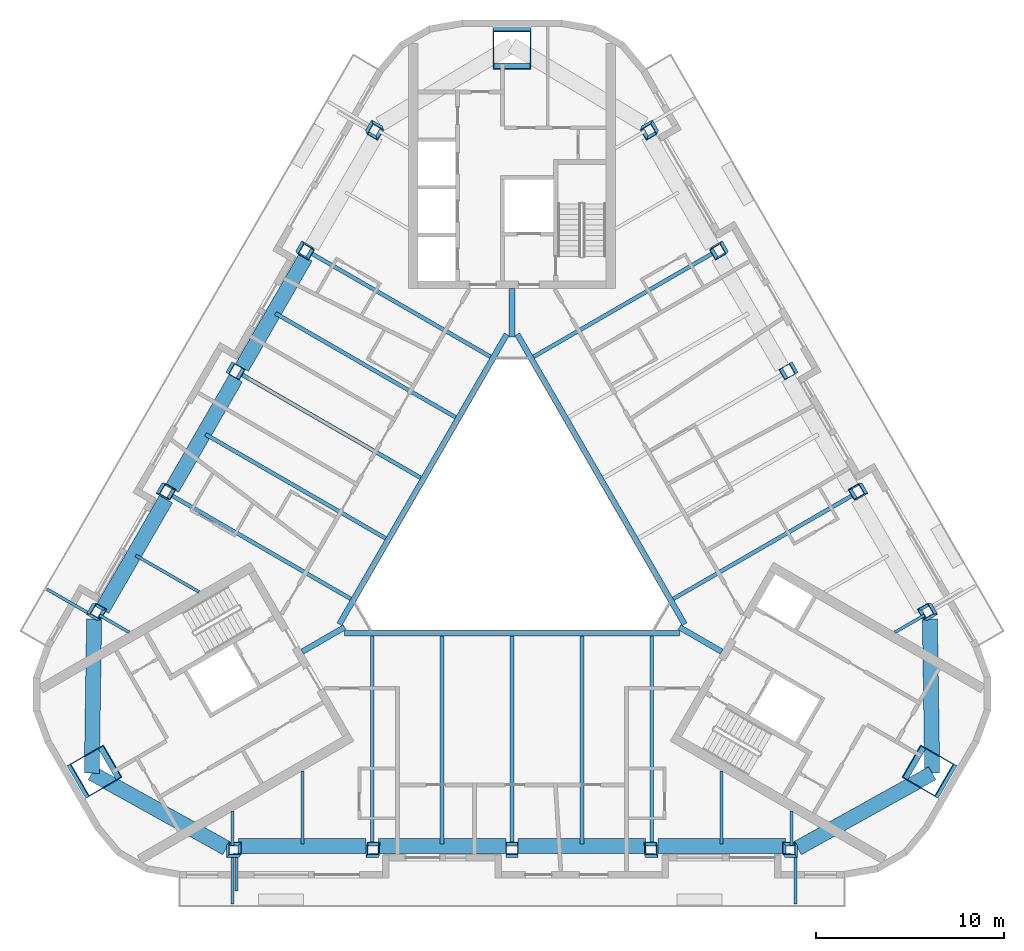
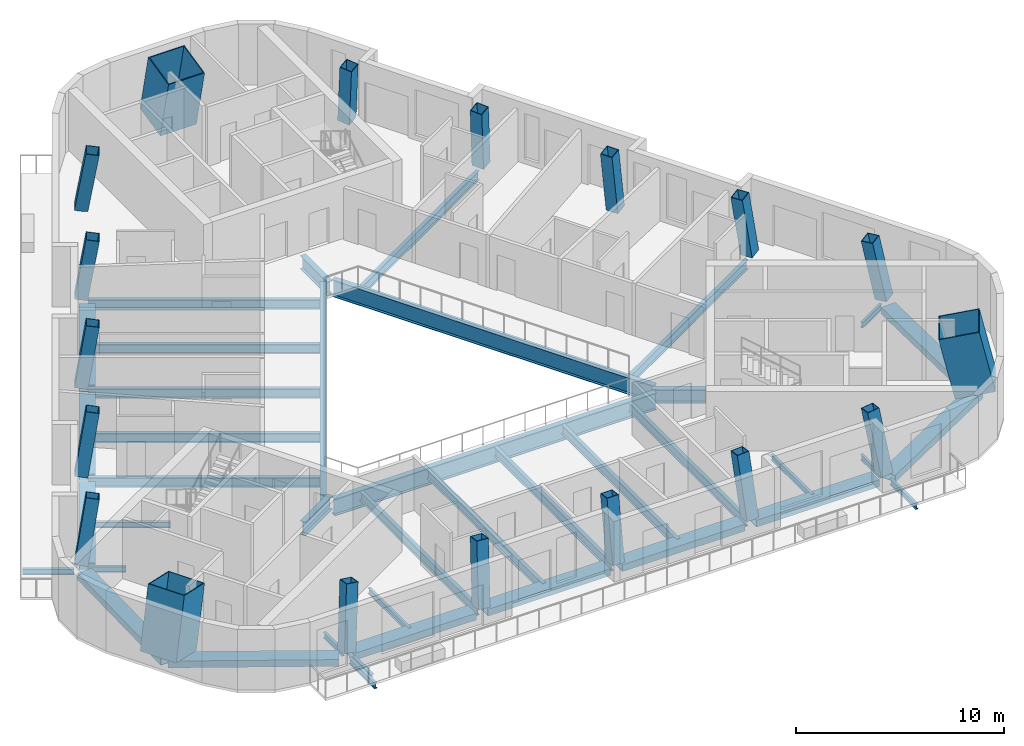
# One storey, part 1 of 13: 40 beams, 18 columns.
"""IFC4 building model written with IfcOpenShell, lengths in metres."""

import ifcopenshell
import ifcopenshell.guid

model = None  # the IFC model being written
_history = None  # IfcOwnerHistory: only IFC2X3 demands one
_inside = {}  # id of a spatial element -> (the spatial element, [elements in it])
_under = {}  # id of a project, library or spatial element -> (it, [spatial elements below it])
_declared = {}  # id of a project -> (the project, [libraries it declares])
_typed = {}  # id of a type object -> (the type object, [elements of that type])
_made_of = {}  # id of a material, layer set ... -> (it, [elements and type objects made of it])


def new_model(schema):
    """Start an empty IFC model of exactly this schema.

    Asked for "IFC4X3", IfcOpenShell would pick the latest addendum, in which some entities
    have other attributes; the version numbers below select the first issue.
    IFC2X3 requires an IfcOwnerHistory on every rooted entity: one is made here for all.
    """
    global model, _history
    if schema == "IFC4X3":
        model = ifcopenshell.file(schema_version=(4, 3, 0, 0))
    else:
        model = ifcopenshell.file(schema=schema)
    _inside.clear()
    _under.clear()
    _declared.clear()
    _typed.clear()
    _made_of.clear()
    _history = None
    if model.schema == "IFC2X3":
        org = make("IfcOrganization", Name="unknown")
        user = make(
            "IfcPersonAndOrganization",
            ThePerson=make("IfcPerson", FamilyName="unknown"),
            TheOrganization=org,
        )
        app = make(
            "IfcApplication",
            ApplicationDeveloper=org,
            Version="unknown",
            ApplicationFullName="unknown",
            ApplicationIdentifier="unknown",
        )
        _history = make(
            "IfcOwnerHistory",
            OwningUser=user,
            OwningApplication=app,
            ChangeAction="ADDED",
            CreationDate=0,
        )
    return model


def make(cls, **values):
    """One entity of the class cls with the attributes given. An attribute that is None is left unset."""
    return model.create_entity(
        cls, **{name: value for name, value in values.items() if value is not None}
    )


def rooted(cls, **values):
    """An entity with a GlobalId (a new one), such as an element, a storey or a relation."""
    return make(cls, GlobalId=ifcopenshell.guid.new(), OwnerHistory=_history, **values)


def si_unit(unit_type, name, prefix=None):
    """IfcSIUnit, for example si_unit("LENGTHUNIT", "METRE", prefix="MILLI")."""
    return make("IfcSIUnit", UnitType=unit_type, Prefix=prefix, Name=name)


def assignment(units):
    """IfcUnitAssignment: the units of a project."""
    return None if units is None else make("IfcUnitAssignment", Units=units)


def point(xyz):
    """IfcCartesianPoint."""
    return None if xyz is None else make("IfcCartesianPoint", Coordinates=xyz)


def direction(xyz):
    """IfcDirection."""
    return None if xyz is None else make("IfcDirection", DirectionRatios=xyz)


def frame(location, z_axis=None, x_axis=None):
    """IfcAxis2Placement3D, a coordinate frame: its origin and axes. An axis left out is left unset."""
    return make(
        "IfcAxis2Placement3D",
        Location=point(location),
        Axis=direction(z_axis),
        RefDirection=direction(x_axis),
    )


def frame_2d(location, x_axis=None):
    """IfcAxis2Placement2D, a coordinate frame in the plane: its origin and x axis."""
    return make(
        "IfcAxis2Placement2D", Location=point(location), RefDirection=direction(x_axis)
    )


def origin():
    """The frame at (0, 0, 0) with its axes left unset."""
    return frame((0.0, 0.0, 0.0))


def origin_2d():
    """The frame at (0, 0) in the plane with its x axis left unset."""
    return frame_2d((0.0, 0.0))


def place(relative_to, where):
    """IfcLocalPlacement: puts the frame where relative to a parent placement (None: the world)."""
    return make(
        "IfcLocalPlacement", PlacementRelTo=relative_to, RelativePlacement=where
    )


def context(
    kind, dimensions, precision=None, world=None, true_north=None, identifier=None
):
    """IfcGeometricRepresentationContext, for example the 3D "Model" context."""
    return make(
        "IfcGeometricRepresentationContext",
        ContextIdentifier=identifier,
        ContextType=kind,
        CoordinateSpaceDimension=dimensions,
        Precision=precision,
        WorldCoordinateSystem=world,
        TrueNorth=true_north,
    )


def subcontext(parent, identifier, kind, view, scale=None):
    """IfcGeometricRepresentationSubContext, for example "Body" below "Model"."""
    return make(
        "IfcGeometricRepresentationSubContext",
        ContextIdentifier=identifier,
        ContextType=kind,
        ParentContext=parent,
        TargetScale=scale,
        TargetView=view,
    )


def project(units=None, contexts=None):
    """IfcProject with its units and contexts."""
    return rooted(
        "IfcProject",
        Name="project",
        RepresentationContexts=contexts,
        UnitsInContext=assignment(units),
    )


def spatial(cls, under=None, at=None, **own):
    """A site, building, storey or space (cls), placed at a placement, below another one or the project."""
    s = rooted(cls, ObjectPlacement=at, **own)
    if under is not None:
        _under.setdefault(under.id(), (under, []))[1].append(s)
    return s


def profile(cls, at=None, kind="AREA", **sizes):
    """A parametric profile (cls). Its sizes go by their IFC names, for example OverallWidth=200.0."""
    return make(cls, ProfileType=kind, Position=at, **sizes)


def rectangle(**sizes):
    """IfcRectangleProfileDef."""
    return profile("IfcRectangleProfileDef", **sizes)


def hollow_rectangle(**sizes):
    """IfcRectangleHollowProfileDef."""
    return profile("IfcRectangleHollowProfileDef", **sizes)


def i_section(**sizes):
    """IfcIShapeProfileDef."""
    return profile("IfcIShapeProfileDef", **sizes)


def extrude(swept, where, along, depth):
    """IfcExtrudedAreaSolid: the profile swept, set in the frame where, extruded along a direction by depth."""
    return make(
        "IfcExtrudedAreaSolid",
        SweptArea=swept,
        Position=where,
        ExtrudedDirection=direction(along),
        Depth=depth,
    )


def boolean(op, a, b):
    """IfcBooleanResult of two solids."""
    return make("IfcBooleanResult", Operator=op, FirstOperand=a, SecondOperand=b)


def halfspace(plane, agree):
    """IfcHalfSpaceSolid: all space on one side of the plane z = 0 of the frame plane."""
    return make(
        "IfcHalfSpaceSolid",
        BaseSurface=make("IfcPlane", Position=plane),
        AgreementFlag=agree,
    )


def shape(context_of_items, identifier, shape_type, items):
    """IfcShapeRepresentation: the items that make up one representation, for example the "Body"."""
    return make(
        "IfcShapeRepresentation",
        ContextOfItems=context_of_items,
        RepresentationIdentifier=identifier,
        RepresentationType=shape_type,
        Items=items,
    )


def material(Name=None, Category=None):
    """IfcMaterial."""
    return make("IfcMaterial", Name=Name, Category=Category)


def material_profile(
    of_material, cross_section, Name=None, Category=None, Priority=None
):
    """IfcMaterialProfile: a cross section and its material."""
    return make(
        "IfcMaterialProfile",
        Name=Name,
        Material=of_material,
        Profile=cross_section,
        Priority=Priority,
        Category=Category,
    )


def profile_set(profiles, Name=None, composite=None):
    """IfcMaterialProfileSet."""
    return make(
        "IfcMaterialProfileSet",
        Name=Name,
        MaterialProfiles=profiles,
        CompositeProfile=composite,
    )


def made_of(thing, what):
    """Note that an element or type object is made of a material, layer set ...; save() writes the relation."""
    if what is not None:
        _made_of.setdefault(what.id(), (what, []))[1].append(thing)
    return thing


def type_object(cls, material=None, **own):
    """A type object (cls), such as IfcWallType, which elements share."""
    return made_of(rooted(cls, **own), material)


def element(
    cls,
    number,
    at=None,
    inside=None,
    cuts=None,
    type_object=None,
    material=None,
    context=None,
    identifier="Body",
    shape_type=None,
    held_by="IfcProductDefinitionShape",
    body=None,
    shapes=None,
    **own,
):
    """One element of the class cls, such as IfcWall. Its Tag is "e" and its number.

    at: its placement. inside: the storey or other place that contains it. cuts: it is an
    opening in that element (IfcRelVoidsElement). A single representation is given by context,
    identifier, shape_type and body (its items); several are given by shapes. held_by: the class
    of the entity that holds the representations. save() writes the other relations.
    """
    e = rooted(cls, Tag="e%d" % number, ObjectPlacement=at, **own)
    if body is not None:
        shapes = [shape(context, identifier, shape_type, body)]
    if shapes is not None:
        e.Representation = make(held_by, Representations=shapes)
    if inside is not None:
        _inside.setdefault(inside.id(), (inside, []))[1].append(e)
    if cuts is not None:
        rooted(
            "IfcRelVoidsElement", RelatingBuildingElement=cuts, RelatedOpeningElement=e
        )
    if type_object is not None:
        _typed.setdefault(type_object.id(), (type_object, []))[1].append(e)
    return made_of(e, material)


def aggregate(whole, parts):
    """IfcRelAggregates: a whole, such as a stair, and the parts it consists of."""
    return rooted("IfcRelAggregates", RelatingObject=whole, RelatedObjects=parts)


def save(model, path):
    """Write the relations noted so far, then the file.

    IfcRelAggregates (storeys below a building ...), IfcRelContainedInSpatialStructure (elements
    in a storey), IfcRelDefinesByType, IfcRelAssociatesMaterial and IfcRelDeclares: one each for
    every whole, place, type object, material and project.
    """
    for whole, parts in _under.values():
        aggregate(whole, parts)
    for where, things in _inside.values():
        rooted(
            "IfcRelContainedInSpatialStructure",
            RelatedElements=things,
            RelatingStructure=where,
        )
    for kind, things in _typed.values():
        rooted("IfcRelDefinesByType", RelatedObjects=things, RelatingType=kind)
    for what, things in _made_of.values():
        rooted("IfcRelAssociatesMaterial", RelatedObjects=things, RelatingMaterial=what)
    for by, libraries in _declared.values():
        rooted("IfcRelDeclares", RelatingContext=by, RelatedDefinitions=libraries)
    model.write(path)


model = new_model("IFC4")

# Units and contexts
model_context = context("Model", 3, precision=1e-05, world=origin(), true_north=direction((0.0, 1.0)))
body_context = subcontext(model_context, "Body", "Model", "MODEL_VIEW")
ifc_project = project(units=[si_unit("LENGTHUNIT", "METRE"), si_unit("AREAUNIT", "SQUARE_METRE"), si_unit("VOLUMEUNIT", "CUBIC_METRE"), si_unit("PLANEANGLEUNIT", "RADIAN"), si_unit("MASSUNIT", "GRAM", prefix="KILO")], contexts=[model_context])

# Site, building, storey
site_placement = place(None, origin())
site = spatial("IfcSite", under=ifc_project, at=site_placement, CompositionType="ELEMENT")
building_placement = place(site_placement, origin())
building = spatial("IfcBuilding", under=site, at=building_placement, Name="Apuvela Tower Hotel", CompositionType="ELEMENT")
storey_placement = place(building_placement, frame((0.0, 0.0, 276.300048828125)))
storey = spatial("IfcBuildingStorey", under=building, at=storey_placement, Name="L68", CompositionType="ELEMENT", Elevation=276.300048828125)

# Columns
ifc_material_1 = material(Name="Steel S460", Category="steel")
ifc_material_profile_1 = material_profile(ifc_material_1, hollow_rectangle(XDim=2.0, YDim=2.0, WallThickness=0.050048828125, at=origin_2d()), Name="BOX 2000x2000x50")
ifc_material_2 = material(Name="Concrete C80/95", Category="concrete")
ifc_material_profile_2 = material_profile(ifc_material_2, rectangle(XDim=1.89990234375, YDim=1.89990234375, at=origin_2d()), Name="Concrete C80/95 infill")
ifc_profile_set_1 = profile_set([ifc_material_profile_1, ifc_material_profile_2], Name="Steel S460")
column_type_1 = type_object("IfcColumnType", Name="STR-MC mega column BOX 2000x2000x50", PredefinedType="COLUMN", material=ifc_profile_set_1)
for number, where, z_axis, x_axis, name in (
    (1, (0.0, 25.842529296875, 0.0), (0.0, -0.21982618752, 0.975539054718), (1.0, 0.0, 0.0), "Mega column MC4 N"),
    (2, (-22.38037109375, -12.92138671875, 0.0), (0.190406849863, 0.109944185114, 0.975529347424), (0.499999219142, -0.866025854536, 1.1512328e-05), "Mega column MC4 SW"),
    (3, (22.38037109375, -12.92138671875, 0.0), (-0.190406849863, 0.109944185114, 0.975529347424), (-0.499999219142, -0.866025854536, 1.1512328e-05), "Mega column MC4 SE"),
):
    element("IfcColumn", number, at=place(storey_placement, frame(where, z_axis=z_axis, x_axis=x_axis)), inside=storey, type_object=column_type_1, Name=name, PredefinedType="COLUMN", context=body_context, shape_type="SweptSolid", body=[
        boolean("DIFFERENCE", boolean("DIFFERENCE", extrude(hollow_rectangle(XDim=2.0, YDim=2.0, WallThickness=0.050048828125, at=origin_2d()), origin(), (0.0, 0.0, 1.0), 3.792724609375), halfspace(frame((0.0, 0.0, 0.11328125), z_axis=(0.0, 0.0, 1.0), x_axis=(1.0, 0.0, 0.0)), True)), halfspace(frame((0.0, 0.0, 3.679443359375), z_axis=(0.0, 0.0, 1.0), x_axis=(1.0, 0.0, 0.0)), False)),
    ])
ifc_material_profile_3 = material_profile(ifc_material_1, hollow_rectangle(XDim=0.64990234375, YDim=0.64990234375, WallThickness=0.030029296875, at=origin_2d()), Name="BOX 650x650x30")
ifc_material_profile_4 = material_profile(ifc_material_2, rectangle(XDim=0.590087890625, YDim=0.590087890625, at=origin_2d()), Name="Concrete C80/95 infill")
ifc_profile_set_2 = profile_set([ifc_material_profile_3, ifc_material_profile_4], Name="Steel S460")
column_type_2 = type_object("IfcColumnType", Name="STR-PC perimeter column BOX 650x650x30", PredefinedType="COLUMN", material=ifc_profile_set_2)
column_1_placement = place(storey_placement, frame((-14.88720703125, -17.095703125, 0.0), z_axis=(0.121071080606, 0.15033532041, 0.981193704055), x_axis=(-0.992604301044, 0.009512970783, 0.12102150609)))
element("IfcColumn", 4, at=column_1_placement, inside=storey, type_object=column_type_2, Name="Perimeter column C6 S1", PredefinedType="COLUMN", context=body_context, shape_type="SweptSolid", body=[
    boolean("DIFFERENCE", boolean("DIFFERENCE", extrude(hollow_rectangle(XDim=0.64990234375, YDim=0.64990234375, WallThickness=0.030029296875, at=origin_2d()), origin(), (0.0, 0.0, 1.0), 3.770751953125), halfspace(frame((0.0, 0.0, 0.046875), z_axis=(0.0, 0.0, 1.0), x_axis=(1.0, 0.0, 0.0)), True)), halfspace(frame((0.0, 0.0, 3.72412109375), z_axis=(0.0, 0.0, 1.0), x_axis=(1.0, 0.0, 0.0)), False)),
])
column_2_placement = place(storey_placement, frame((-7.443603515625, -17.095703125, 0.0), z_axis=(0.060871062735, 0.151168564354, 0.986632038235), x_axis=(-0.998135304591, 0.004721094283, 0.0608574153)))
element("IfcColumn", 5, at=column_2_placement, inside=storey, type_object=column_type_2, Name="Perimeter column C6 S2", PredefinedType="COLUMN", context=body_context, shape_type="SweptSolid", body=[
    boolean("DIFFERENCE", boolean("DIFFERENCE", extrude(hollow_rectangle(XDim=0.64990234375, YDim=0.64990234375, WallThickness=0.030029296875, at=origin_2d()), origin(), (0.0, 0.0, 1.0), 3.75), halfspace(frame((0.0, 0.0, 0.039794921875), z_axis=(0.0, 0.0, 1.0), x_axis=(1.0, 0.0, 0.0)), True)), halfspace(frame((0.0, 0.0, 3.71044921875), z_axis=(0.0, 0.0, 1.0), x_axis=(1.0, 0.0, 0.0)), False)),
])
column_3_placement = place(storey_placement, frame((0.0, -17.095703125, 0.0), z_axis=(0.0, 0.151449406449, 0.988465010653), x_axis=(-1.0, 0.0, 0.0)))
element("IfcColumn", 6, at=column_3_placement, inside=storey, type_object=column_type_2, Name="Perimeter column C6 S3", PredefinedType="COLUMN", context=body_context, shape_type="SweptSolid", body=[
    boolean("DIFFERENCE", boolean("DIFFERENCE", extrude(hollow_rectangle(XDim=0.64990234375, YDim=0.64990234375, WallThickness=0.030029296875, at=origin_2d()), origin(), (0.0, 0.0, 1.0), 3.7431640625), halfspace(frame((0.0, 0.0, 0.037109375), z_axis=(0.0, 0.0, 1.0), x_axis=(1.0, 0.0, 0.0)), True)), halfspace(frame((0.0, 0.0, 3.7060546875), z_axis=(0.0, 0.0, 1.0), x_axis=(1.0, 0.0, 0.0)), False)),
])
column_4_placement = place(storey_placement, frame((7.443603515625, -17.095703125, 0.0), z_axis=(-0.060871062735, 0.151168564354, 0.986632038235), x_axis=(0.998135304591, 0.004721094283, 0.0608574153)))
element("IfcColumn", 7, at=column_4_placement, inside=storey, type_object=column_type_2, Name="Perimeter column C6 S4", PredefinedType="COLUMN", context=body_context, shape_type="SweptSolid", body=[
    boolean("DIFFERENCE", boolean("DIFFERENCE", extrude(hollow_rectangle(XDim=0.64990234375, YDim=0.64990234375, WallThickness=0.030029296875, at=origin_2d()), origin(), (0.0, 0.0, 1.0), 3.75), halfspace(frame((0.0, 0.0, 0.039794921875), z_axis=(0.0, 0.0, 1.0), x_axis=(1.0, 0.0, 0.0)), True)), halfspace(frame((0.0, 0.0, 3.71044921875), z_axis=(0.0, 0.0, 1.0), x_axis=(1.0, 0.0, 0.0)), False)),
])
column_5_placement = place(storey_placement, frame((14.88720703125, -17.095703125, 0.0), z_axis=(-0.121071080606, 0.15033532041, 0.981193704055), x_axis=(0.992604301044, 0.009512970783, 0.12102150609)))
element("IfcColumn", 8, at=column_5_placement, inside=storey, type_object=column_type_2, Name="Perimeter column C6 S5", PredefinedType="COLUMN", context=body_context, shape_type="SweptSolid", body=[
    boolean("DIFFERENCE", boolean("DIFFERENCE", extrude(hollow_rectangle(XDim=0.64990234375, YDim=0.64990234375, WallThickness=0.030029296875, at=origin_2d()), origin(), (0.0, 0.0, 1.0), 3.770751953125), halfspace(frame((0.0, 0.0, 0.046875), z_axis=(0.0, 0.0, 1.0), x_axis=(1.0, 0.0, 0.0)), True)), halfspace(frame((0.0, 0.0, 3.72412109375), z_axis=(0.0, 0.0, 1.0), x_axis=(1.0, 0.0, 0.0)), False)),
])
column_6_placement = place(storey_placement, frame((22.2490234375, -4.3447265625, 0.0), z_axis=(-0.190797858838, 0.029652330963, 0.981181388088), x_axis=(0.488223592572, -0.864281582532, 0.12105812551)))
element("IfcColumn", 9, at=column_6_placement, inside=storey, type_object=column_type_2, Name="Perimeter column C6 NE1", PredefinedType="COLUMN", context=body_context, shape_type="SweptSolid", body=[
    boolean("DIFFERENCE", boolean("DIFFERENCE", extrude(hollow_rectangle(XDim=0.64990234375, YDim=0.64990234375, WallThickness=0.030029296875, at=origin_2d()), origin(), (0.0, 0.0, 1.0), 3.77099609375), halfspace(frame((0.0, 0.0, 0.046875), z_axis=(0.0, 0.0, 1.0), x_axis=(1.0, 0.0, 0.0)), True)), halfspace(frame((0.0, 0.0, 3.72412109375), z_axis=(0.0, 0.0, 1.0), x_axis=(1.0, 0.0, 0.0)), False)),
])
column_7_placement = place(storey_placement, frame((18.527099609375, 2.1015625, 0.0), z_axis=(-0.16132511193, -0.02291623866, 0.98663521844), x_axis=(0.495162384909, -0.866667980787, 0.060834395287)))
element("IfcColumn", 10, at=column_7_placement, inside=storey, type_object=column_type_2, Name="Perimeter column C6 NE2", PredefinedType="COLUMN", context=body_context, shape_type="SweptSolid", body=[
    boolean("DIFFERENCE", boolean("DIFFERENCE", extrude(hollow_rectangle(XDim=0.64990234375, YDim=0.64990234375, WallThickness=0.030029296875, at=origin_2d()), origin(), (0.0, 0.0, 1.0), 3.75), halfspace(frame((0.0, 0.0, 0.039794921875), z_axis=(0.0, 0.0, 1.0), x_axis=(1.0, 0.0, 0.0)), True)), halfspace(frame((0.0, 0.0, 3.71044921875), z_axis=(0.0, 0.0, 1.0), x_axis=(1.0, 0.0, 0.0)), False)),
])
column_8_placement = place(storey_placement, frame((14.805419921875, 8.5478515625, 0.0), z_axis=(-0.131228839908, -0.075723997581, 0.988455799602), x_axis=(0.499841813697, -0.866116713392, 7.933019e-06)))
element("IfcColumn", 11, at=column_8_placement, inside=storey, type_object=column_type_2, Name="Perimeter column C6 NE3", PredefinedType="COLUMN", context=body_context, shape_type="SweptSolid", body=[
    boolean("DIFFERENCE", boolean("DIFFERENCE", extrude(hollow_rectangle(XDim=0.64990234375, YDim=0.64990234375, WallThickness=0.030029296875, at=origin_2d()), origin(), (0.0, 0.0, 1.0), 3.7431640625), halfspace(frame((0.0, 0.0, 0.037109375), z_axis=(0.0, 0.0, 1.0), x_axis=(1.0, 0.0, 0.0)), True)), halfspace(frame((0.0, 0.0, 3.7060546875), z_axis=(0.0, 0.0, 1.0), x_axis=(1.0, 0.0, 0.0)), False)),
])
column_9_placement = place(storey_placement, frame((11.08349609375, 14.994140625, 0.0), z_axis=(-0.100518021011, -0.128316722417, 0.98662604172), x_axis=(-0.503129383785, 0.862065632243, 0.060857775822)))
element("IfcColumn", 12, at=column_9_placement, inside=storey, type_object=column_type_2, Name="Perimeter column C6 NE4", PredefinedType="COLUMN", context=body_context, shape_type="SweptSolid", body=[
    boolean("DIFFERENCE", boolean("DIFFERENCE", extrude(hollow_rectangle(XDim=0.64990234375, YDim=0.64990234375, WallThickness=0.030029296875, at=origin_2d()), origin(), (0.0, 0.0, 1.0), 3.75), halfspace(frame((0.0, 0.0, 0.039794921875), z_axis=(0.0, 0.0, 1.0), x_axis=(1.0, 0.0, 0.0)), True)), halfspace(frame((0.0, 0.0, 3.71044921875), z_axis=(0.0, 0.0, 1.0), x_axis=(1.0, 0.0, 0.0)), False)),
])
for number, where, z_axis, x_axis, name in (
    (13, (7.36181640625, 21.4404296875, 0.0), (-0.06966478086, -0.179988931962, 0.981198656073), (-0.504437272402, 0.854926536661, 0.121010971086), "Perimeter column C6 NE5"),
    (14, (-7.36181640625, 21.4404296875, 0.0), (0.06966478086, -0.179988931962, 0.981198656073), (0.504437272402, 0.854926536661, 0.121010971086), "Perimeter column C6 NW1"),
):
    element("IfcColumn", number, at=place(storey_placement, frame(where, z_axis=z_axis, x_axis=x_axis)), inside=storey, type_object=column_type_2, Name=name, PredefinedType="COLUMN", context=body_context, shape_type="SweptSolid", body=[
        boolean("DIFFERENCE", boolean("DIFFERENCE", extrude(hollow_rectangle(XDim=0.64990234375, YDim=0.64990234375, WallThickness=0.030029296875, at=origin_2d()), origin(), (0.0, 0.0, 1.0), 3.770751953125), halfspace(frame((0.0, 0.0, 0.046875), z_axis=(0.0, 0.0, 1.0), x_axis=(1.0, 0.0, 0.0)), True)), halfspace(frame((0.0, 0.0, 3.72412109375), z_axis=(0.0, 0.0, 1.0), x_axis=(1.0, 0.0, 0.0)), False)),
    ])
column_10_placement = place(storey_placement, frame((-11.08349609375, 14.994140625, 0.0), z_axis=(0.100518021011, -0.128316722417, 0.98662604172), x_axis=(0.503129383785, 0.862065632243, 0.060857775822)))
element("IfcColumn", 15, at=column_10_placement, inside=storey, type_object=column_type_2, Name="Perimeter column C6 NW2", PredefinedType="COLUMN", context=body_context, shape_type="SweptSolid", body=[
    boolean("DIFFERENCE", boolean("DIFFERENCE", extrude(hollow_rectangle(XDim=0.64990234375, YDim=0.64990234375, WallThickness=0.030029296875, at=origin_2d()), origin(), (0.0, 0.0, 1.0), 3.75), halfspace(frame((0.0, 0.0, 0.039794921875), z_axis=(0.0, 0.0, 1.0), x_axis=(1.0, 0.0, 0.0)), True)), halfspace(frame((0.0, 0.0, 3.71044921875), z_axis=(0.0, 0.0, 1.0), x_axis=(1.0, 0.0, 0.0)), False)),
])
column_11_placement = place(storey_placement, frame((-14.805419921875, 8.5478515625, 0.0), z_axis=(0.131228839908, -0.075723997581, 0.988455799602), x_axis=(-0.499841813697, -0.866116713392, 7.933019e-06)))
element("IfcColumn", 16, at=column_11_placement, inside=storey, type_object=column_type_2, Name="Perimeter column C6 NW3", PredefinedType="COLUMN", context=body_context, shape_type="SweptSolid", body=[
    boolean("DIFFERENCE", boolean("DIFFERENCE", extrude(hollow_rectangle(XDim=0.64990234375, YDim=0.64990234375, WallThickness=0.030029296875, at=origin_2d()), origin(), (0.0, 0.0, 1.0), 3.7431640625), halfspace(frame((0.0, 0.0, 0.037109375), z_axis=(0.0, 0.0, 1.0), x_axis=(1.0, 0.0, 0.0)), True)), halfspace(frame((0.0, 0.0, 3.7060546875), z_axis=(0.0, 0.0, 1.0), x_axis=(1.0, 0.0, 0.0)), False)),
])
column_12_placement = place(storey_placement, frame((-18.527099609375, 2.1015625, 0.0), z_axis=(0.16132511193, -0.02291623866, 0.98663521844), x_axis=(-0.495162384909, -0.866667980787, 0.060834395287)))
element("IfcColumn", 17, at=column_12_placement, inside=storey, type_object=column_type_2, Name="Perimeter column C6 NW4", PredefinedType="COLUMN", context=body_context, shape_type="SweptSolid", body=[
    boolean("DIFFERENCE", boolean("DIFFERENCE", extrude(hollow_rectangle(XDim=0.64990234375, YDim=0.64990234375, WallThickness=0.030029296875, at=origin_2d()), origin(), (0.0, 0.0, 1.0), 3.75), halfspace(frame((0.0, 0.0, 0.039794921875), z_axis=(0.0, 0.0, 1.0), x_axis=(1.0, 0.0, 0.0)), True)), halfspace(frame((0.0, 0.0, 3.71044921875), z_axis=(0.0, 0.0, 1.0), x_axis=(1.0, 0.0, 0.0)), False)),
])
column_13_placement = place(storey_placement, frame((-22.2490234375, -4.3447265625, 0.0), z_axis=(0.190797858838, 0.029652330963, 0.981181388088), x_axis=(-0.488223592572, -0.864281582532, 0.12105812551)))
element("IfcColumn", 18, at=column_13_placement, inside=storey, type_object=column_type_2, Name="Perimeter column C6 NW5", PredefinedType="COLUMN", context=body_context, shape_type="SweptSolid", body=[
    boolean("DIFFERENCE", boolean("DIFFERENCE", extrude(hollow_rectangle(XDim=0.64990234375, YDim=0.64990234375, WallThickness=0.030029296875, at=origin_2d()), origin(), (0.0, 0.0, 1.0), 3.77099609375), halfspace(frame((0.0, 0.0, 0.046875), z_axis=(0.0, 0.0, 1.0), x_axis=(1.0, 0.0, 0.0)), True)), halfspace(frame((0.0, 0.0, 3.72412109375), z_axis=(0.0, 0.0, 1.0), x_axis=(1.0, 0.0, 0.0)), False)),
])

# Beams
ifc_material_3 = material(Name="Steel S355", Category="steel")
ifc_material_profile_5 = material_profile(ifc_material_3, i_section(OverallWidth=0.159912109375, OverallDepth=0.330078125, WebThickness=0.007568359375, FlangeThickness=0.011474609375, at=origin_2d()), Name="IPE 330")
ifc_profile_set_3 = profile_set([ifc_material_profile_5], Name="Steel S355")
beam_type_1 = type_object("IfcBeamType", Name="ENV-BALCONY-BEAM-IPE330", PredefinedType="BEAM", material=ifc_profile_set_3)
beam_1_placement = place(storey_placement, frame((-14.88720703125, -17.4208984375, -0.31494140625), z_axis=(0.0, -1.0, 0.0), x_axis=(1.0, 0.0, 0.0)))
element("IfcBeam", 19, at=beam_1_placement, inside=storey, type_object=beam_type_1, Name="Balcony cantilever beam S1 L68", PredefinedType="BEAM", context=body_context, shape_type="SweptSolid", body=[
    extrude(i_section(OverallWidth=0.159912109375, OverallDepth=0.330078125, WebThickness=0.007568359375, FlangeThickness=0.011474609375, at=origin_2d()), origin(), (0.0, 0.0, 1.0), 2.474853515625),
])
beam_2_placement = place(storey_placement, frame((-14.6669921875, -17.4208984375, -0.31494140625), z_axis=(0.0, -1.0, 0.0), x_axis=(1.0, 0.0, 0.0)))
element("IfcBeam", 20, at=beam_2_placement, inside=storey, type_object=beam_type_1, Name="Balcony cantilever beam S2 L68", PredefinedType="BEAM", context=body_context, shape_type="SweptSolid", body=[
    extrude(i_section(OverallWidth=0.159912109375, OverallDepth=0.330078125, WebThickness=0.007568359375, FlangeThickness=0.011474609375, at=origin_2d()), origin(), (0.0, 0.0, 1.0), 1.77490234375),
])
for number, where, z_axis, x_axis, name in (
    (21, (15.087158203125, -17.4208984375, -0.31494140625), (0.0, -1.0, 0.0), (1.0, 0.0, 0.0), "Balcony cantilever beam S3 L68"),
    (22, (-22.63037109375, -4.35546875, -0.31494140625), (-0.866006523861, 0.500032699561, 0.0), (-0.500032699561, -0.866006523861, 0.0), "Balcony cantilever beam NW3 L68"),
):
    element("IfcBeam", number, at=place(storey_placement, frame(where, z_axis=z_axis, x_axis=x_axis)), inside=storey, type_object=beam_type_1, Name=name, PredefinedType="BEAM", context=body_context, shape_type="SweptSolid", body=[
        extrude(i_section(OverallWidth=0.159912109375, OverallDepth=0.330078125, WebThickness=0.007568359375, FlangeThickness=0.011474609375, at=origin_2d()), origin(), (0.0, 0.0, 1.0), 2.474853515625),
    ])
ifc_material_profile_6 = material_profile(ifc_material_3, i_section(OverallWidth=0.159912109375, OverallDepth=0.330078125, WebThickness=0.007568359375, FlangeThickness=0.011474609375, at=origin_2d()), Name="IPE 330")
ifc_profile_set_4 = profile_set([ifc_material_profile_6], Name="Steel S355")
beam_type_2 = type_object("IfcBeamType", Name="STR-B floor beam IPE 330", PredefinedType="BEAM", material=ifc_profile_set_4)
beam_3_placement = place(storey_placement, frame((21.967529296875, -4.507080078125, -0.31494140625), z_axis=(-0.865978377894, -0.500081442387, 0.0), x_axis=(0.500081442387, -0.865978377894, 0.0)))
element("IfcBeam", 23, at=beam_3_placement, inside=storey, type_object=beam_type_2, Name="Floor beam B1 NE1", PredefinedType="BEAM", context=body_context, shape_type="SweptSolid", body=[
    extrude(i_section(OverallWidth=0.159912109375, OverallDepth=0.330078125, WebThickness=0.007568359375, FlangeThickness=0.011474609375, at=origin_2d()), origin(), (0.0, 0.0, 1.0), 1.824951171875),
])
beam_4_placement = place(storey_placement, frame((-20.041748046875, -1.321533203125, -0.31494140625), z_axis=(0.866018739521, -0.500011542666, 0.0), x_axis=(0.500011542666, 0.866018739521, 0.0)))
element("IfcBeam", 24, at=beam_4_placement, inside=storey, type_object=beam_type_2, Name="Floor beam B1 NW8", PredefinedType="BEAM", context=body_context, shape_type="SweptSolid", body=[
    extrude(i_section(OverallWidth=0.159912109375, OverallDepth=0.330078125, WebThickness=0.007568359375, FlangeThickness=0.011474609375, at=origin_2d()), origin(), (0.0, 0.0, 1.0), 3.89892578125),
])
for number, where, z_axis, x_axis, name in (
    (25, (-21.967529296875, -4.507080078125, -0.31494140625), (0.865978377894, -0.500081442387, 0.0), (0.500081442387, 0.865978377894, 0.0), "Floor beam B1 NW9"),
    (26, (-14.88720703125, -16.770751953125, -0.31494140625), (0.0, 1.0, 0.0), (-1.0, 0.0, 0.0), "Floor beam B1 S1"),
):
    element("IfcBeam", number, at=place(storey_placement, frame(where, z_axis=z_axis, x_axis=x_axis)), inside=storey, type_object=beam_type_2, Name=name, PredefinedType="BEAM", context=body_context, shape_type="SweptSolid", body=[
        extrude(i_section(OverallWidth=0.159912109375, OverallDepth=0.330078125, WebThickness=0.007568359375, FlangeThickness=0.011474609375, at=origin_2d()), origin(), (0.0, 0.0, 1.0), 1.824951171875),
    ])
for number, where, z_axis, x_axis, name in (
    (27, (-11.165283203125, -16.69580078125, -0.31494140625), (0.0, 1.0, 0.0), (-1.0, 0.0, 0.0), "Floor beam B1 S2"),
    (28, (11.165283203125, -16.69580078125, -0.31494140625), (0.0, 1.0, 0.0), (-1.0, 0.0, 0.0), "Floor beam B1 S8"),
):
    element("IfcBeam", number, at=place(storey_placement, frame(where, z_axis=z_axis, x_axis=x_axis)), inside=storey, type_object=beam_type_2, Name=name, PredefinedType="BEAM", context=body_context, shape_type="SweptSolid", body=[
        extrude(i_section(OverallWidth=0.159912109375, OverallDepth=0.330078125, WebThickness=0.007568359375, FlangeThickness=0.011474609375, at=origin_2d()), origin(), (0.0, 0.0, 1.0), 3.898681640625),
    ])
beam_5_placement = place(storey_placement, frame((14.88720703125, -16.770751953125, -0.31494140625), z_axis=(0.0, 1.0, 0.0), x_axis=(-1.0, 0.0, 0.0)))
element("IfcBeam", 29, at=beam_5_placement, inside=storey, type_object=beam_type_2, Name="Floor beam B1 S9", PredefinedType="BEAM", context=body_context, shape_type="SweptSolid", body=[
    extrude(i_section(OverallWidth=0.159912109375, OverallDepth=0.330078125, WebThickness=0.007568359375, FlangeThickness=0.011474609375, at=origin_2d()), origin(), (0.0, 0.0, 1.0), 1.824951171875),
])
ifc_material_profile_7 = material_profile(ifc_material_3, i_section(OverallWidth=0.2099609375, OverallDepth=0.550048828125, WebThickness=0.010986328125, FlangeThickness=0.01708984375, at=origin_2d()), Name="IPE 550")
ifc_profile_set_5 = profile_set([ifc_material_profile_7], Name="Steel S355")
beam_type_3 = type_object("IfcBeamType", Name="STR-B floor beam IPE 550", PredefinedType="BEAM", material=ifc_profile_set_5)
beam_6_placement = place(storey_placement, frame((18.24560546875, 1.939208984375, -0.425048828125), z_axis=(-0.866020782377, -0.500008004428, 0.0), x_axis=(0.500008004428, -0.866020782377, 0.0)))
element("IfcBeam", 30, at=beam_6_placement, inside=storey, type_object=beam_type_3, Name="Floor beam B7 NE3", PredefinedType="BEAM", context=body_context, shape_type="SweptSolid", body=[
    extrude(i_section(OverallWidth=0.2099609375, OverallDepth=0.550048828125, WebThickness=0.010986328125, FlangeThickness=0.01708984375, at=origin_2d()), origin(), (0.0, 0.0, 1.0), 11.150634765625),
])
for number, where, z_axis, x_axis, name in (
    (31, (10.80224609375, 14.831787109375, -0.425048828125), (-0.866026256057, -0.499998523817, 0.0), (0.499998523817, -0.866026256057, 0.0), "Floor beam B7 NE7"),
    (32, (-10.80224609375, 14.831787109375, -0.425048828125), (0.866026256057, -0.499998523817, 0.0), (0.499998523817, 0.866026256057, 0.0), "Floor beam B7 NW3"),
):
    element("IfcBeam", number, at=place(storey_placement, frame(where, z_axis=z_axis, x_axis=x_axis)), inside=storey, type_object=beam_type_3, Name=name, PredefinedType="BEAM", context=body_context, shape_type="SweptSolid", body=[
        extrude(i_section(OverallWidth=0.2099609375, OverallDepth=0.550048828125, WebThickness=0.010986328125, FlangeThickness=0.01708984375, at=origin_2d()), origin(), (0.0, 0.0, 1.0), 11.15087890625),
    ])
beam_7_placement = place(storey_placement, frame((-12.59814453125, 11.571044921875, -0.425048828125), z_axis=(0.866030316655, -0.499991490562, 0.0), x_axis=(0.499991490562, 0.866030316655, 0.0)))
element("IfcBeam", 33, at=beam_7_placement, inside=storey, type_object=beam_type_3, Name="Floor beam B7 NW4", PredefinedType="BEAM", context=body_context, shape_type="SweptSolid", body=[
    extrude(i_section(OverallWidth=0.2099609375, OverallDepth=0.550048828125, WebThickness=0.010986328125, FlangeThickness=0.01708984375, at=origin_2d()), origin(), (0.0, 0.0, 1.0), 11.075927734375),
])
beam_8_placement = place(storey_placement, frame((-14.52392578125, 8.385498046875, -0.425048828125), z_axis=(0.866020782377, -0.500008004428, 0.0), x_axis=(0.500008004428, 0.866020782377, 0.0)))
element("IfcBeam", 34, at=beam_8_placement, inside=storey, type_object=beam_type_3, Name="Floor beam B7 NW5", PredefinedType="BEAM", context=body_context, shape_type="SweptSolid", body=[
    extrude(i_section(OverallWidth=0.2099609375, OverallDepth=0.550048828125, WebThickness=0.010986328125, FlangeThickness=0.01708984375, at=origin_2d()), origin(), (0.0, 0.0, 1.0), 11.150634765625),
])
beam_9_placement = place(storey_placement, frame((-16.31982421875, 5.124755859375, -0.425048828125), z_axis=(0.866024806044, -0.500001035316, 0.0), x_axis=(0.500001035316, 0.866024806044, 0.0)))
element("IfcBeam", 35, at=beam_9_placement, inside=storey, type_object=beam_type_3, Name="Floor beam B7 NW6", PredefinedType="BEAM", context=body_context, shape_type="SweptSolid", body=[
    extrude(i_section(OverallWidth=0.2099609375, OverallDepth=0.550048828125, WebThickness=0.010986328125, FlangeThickness=0.01708984375, at=origin_2d()), origin(), (0.0, 0.0, 1.0), 11.07568359375),
])
for number, where, z_axis, x_axis, name in (
    (36, (-18.24560546875, 1.939208984375, -0.425048828125), (0.866020782377, -0.500008004428, 0.0), (0.500008004428, 0.866020782377, 0.0), "Floor beam B7 NW7"),
    (37, (-7.443603515625, -16.770751953125, -0.425048828125), (0.0, 1.0, 0.0), (-1.0, 0.0, 0.0), "Floor beam B7 S3"),
):
    element("IfcBeam", number, at=place(storey_placement, frame(where, z_axis=z_axis, x_axis=x_axis)), inside=storey, type_object=beam_type_3, Name=name, PredefinedType="BEAM", context=body_context, shape_type="SweptSolid", body=[
        extrude(i_section(OverallWidth=0.2099609375, OverallDepth=0.550048828125, WebThickness=0.010986328125, FlangeThickness=0.01708984375, at=origin_2d()), origin(), (0.0, 0.0, 1.0), 11.150634765625),
    ])
beam_10_placement = place(storey_placement, frame((-3.7216796875, -16.69580078125, -0.425048828125), z_axis=(0.0, 1.0, 0.0), x_axis=(-1.0, 0.0, 0.0)))
element("IfcBeam", 38, at=beam_10_placement, inside=storey, type_object=beam_type_3, Name="Floor beam B7 S4", PredefinedType="BEAM", context=body_context, shape_type="SweptSolid", body=[
    extrude(i_section(OverallWidth=0.2099609375, OverallDepth=0.550048828125, WebThickness=0.010986328125, FlangeThickness=0.01708984375, at=origin_2d()), origin(), (0.0, 0.0, 1.0), 11.07568359375),
])
beam_11_placement = place(storey_placement, frame((0.0, -16.770751953125, -0.425048828125), z_axis=(0.0, 1.0, 0.0), x_axis=(-1.0, 0.0, 0.0)))
element("IfcBeam", 39, at=beam_11_placement, inside=storey, type_object=beam_type_3, Name="Floor beam B7 S5", PredefinedType="BEAM", context=body_context, shape_type="SweptSolid", body=[
    extrude(i_section(OverallWidth=0.2099609375, OverallDepth=0.550048828125, WebThickness=0.010986328125, FlangeThickness=0.01708984375, at=origin_2d()), origin(), (0.0, 0.0, 1.0), 11.150634765625),
])
beam_12_placement = place(storey_placement, frame((3.7216796875, -16.69580078125, -0.425048828125), z_axis=(0.0, 1.0, 0.0), x_axis=(-1.0, 0.0, 0.0)))
element("IfcBeam", 40, at=beam_12_placement, inside=storey, type_object=beam_type_3, Name="Floor beam B7 S6", PredefinedType="BEAM", context=body_context, shape_type="SweptSolid", body=[
    extrude(i_section(OverallWidth=0.2099609375, OverallDepth=0.550048828125, WebThickness=0.010986328125, FlangeThickness=0.01708984375, at=origin_2d()), origin(), (0.0, 0.0, 1.0), 11.07568359375),
])
beam_13_placement = place(storey_placement, frame((7.443603515625, -16.770751953125, -0.425048828125), z_axis=(0.0, 1.0, 0.0), x_axis=(-1.0, 0.0, 0.0)))
element("IfcBeam", 41, at=beam_13_placement, inside=storey, type_object=beam_type_3, Name="Floor beam B7 S7", PredefinedType="BEAM", context=body_context, shape_type="SweptSolid", body=[
    extrude(i_section(OverallWidth=0.2099609375, OverallDepth=0.550048828125, WebThickness=0.010986328125, FlangeThickness=0.01708984375, at=origin_2d()), origin(), (0.0, 0.0, 1.0), 11.150634765625),
])
ifc_material_profile_8 = material_profile(ifc_material_3, i_section(OverallWidth=0.300048828125, OverallDepth=0.989990234375, WebThickness=0.0166015625, FlangeThickness=0.031005859375, at=origin_2d()), Name="HE 1000 A")
ifc_profile_set_6 = profile_set([ifc_material_profile_8], Name="Steel S355")
beam_type_4 = type_object("IfcBeamType", Name="STR-G atrium ring girder HE 1000 A", PredefinedType="BEAM", material=ifc_profile_set_6)
beam_14_placement = place(storey_placement, frame((-0.27978515625, 10.455078125, -0.64501953125), z_axis=(-0.500006541319, -0.866021627119, 0.0), x_axis=(0.866021627119, -0.500006541319, 0.0)))
element("IfcBeam", 42, at=beam_14_placement, inside=storey, type_object=beam_type_4, Name="Atrium ring girder G3 N-SW", PredefinedType="BEAM", context=body_context, shape_type="SweptSolid", body=[
    extrude(i_section(OverallWidth=0.300048828125, OverallDepth=0.989990234375, WebThickness=0.0166015625, FlangeThickness=0.031005859375, at=origin_2d()), origin(), (0.0, 0.0, 1.0), 17.828857421875),
])
beam_15_placement = place(storey_placement, frame((-8.91455078125, -5.469970703125, -0.64501953125), z_axis=(1.0, 0.0, 0.0), x_axis=(0.0, 1.0, 0.0)))
element("IfcBeam", 43, at=beam_15_placement, inside=storey, type_object=beam_type_4, Name="Atrium ring girder G3 SW-SE", PredefinedType="BEAM", context=body_context, shape_type="SweptSolid", body=[
    extrude(i_section(OverallWidth=0.300048828125, OverallDepth=0.989990234375, WebThickness=0.0166015625, FlangeThickness=0.031005859375, at=origin_2d()), origin(), (0.0, 0.0, 1.0), 17.8291015625),
])
beam_16_placement = place(storey_placement, frame((9.1943359375, -4.985107421875, -0.64501953125), z_axis=(-0.500006541319, 0.866021627119, 0.0), x_axis=(-0.866021627119, -0.500006541319, 0.0)))
element("IfcBeam", 44, at=beam_16_placement, inside=storey, type_object=beam_type_4, Name="Atrium ring girder G3 SE-N", PredefinedType="BEAM", context=body_context, shape_type="SweptSolid", body=[
    extrude(i_section(OverallWidth=0.300048828125, OverallDepth=0.989990234375, WebThickness=0.0166015625, FlangeThickness=0.031005859375, at=origin_2d()), origin(), (0.0, 0.0, 1.0), 17.828857421875),
])
ifc_material_profile_9 = material_profile(ifc_material_3, i_section(OverallWidth=0.300048828125, OverallDepth=0.800048828125, WebThickness=0.017578125, FlangeThickness=0.032958984375, at=origin_2d()), Name="HE 800 B")
ifc_profile_set_7 = profile_set([ifc_material_profile_9], Name="Steel S355")
beam_type_5 = type_object("IfcBeamType", Name="STR-GT core tie beam HE 800 B", PredefinedType="BEAM", material=ifc_profile_set_7)
for number, where, z_axis, x_axis, name in (
    (45, (0.0, 12.89990234375, -0.550048828125), (0.0, -1.0, 0.0), (1.0, 0.0, 0.0), "Core tie beam GT1 N"),
    (46, (-11.171630859375, -6.449951171875, -0.550048828125), (0.865997922154, 0.500047596559, 0.0), (-0.500047596559, 0.865997922154, 0.0), "Core tie beam GT1 SW"),
    (47, (11.171630859375, -6.449951171875, -0.550048828125), (-0.865997922154, 0.500047596559, 0.0), (-0.500047596559, -0.865997922154, 0.0), "Core tie beam GT1 SE"),
):
    element("IfcBeam", number, at=place(storey_placement, frame(where, z_axis=z_axis, x_axis=x_axis)), inside=storey, type_object=beam_type_5, Name=name, PredefinedType="BEAM", context=body_context, shape_type="SweptSolid", body=[
        extrude(i_section(OverallWidth=0.300048828125, OverallDepth=0.800048828125, WebThickness=0.017578125, FlangeThickness=0.032958984375, at=origin_2d()), origin(), (0.0, 0.0, 1.0), 2.599853515625),
    ])
ifc_material_profile_10 = material_profile(ifc_material_1, hollow_rectangle(XDim=0.800048828125, YDim=0.39990234375, WallThickness=0.02490234375, at=origin_2d()), Name="BOX 800x400x25")
ifc_profile_set_8 = profile_set([ifc_material_profile_10], Name="Steel S460")
beam_type_6 = type_object("IfcBeamType", Name="STR-RB perimeter ring beam BOX 800x400x25", PredefinedType="SPANDREL", material=ifc_profile_set_8)
beam_17_placement = place(storey_placement, frame((-14.56201171875, -16.7958984375, -0.400146484375), z_axis=(1.0, 0.0, 0.0), x_axis=(0.0, 1.0, 0.0)))
element("IfcBeam", 48, at=beam_17_placement, inside=storey, type_object=beam_type_6, Name="Ring beam RB1 S1", PredefinedType="SPANDREL", context=body_context, shape_type="SweptSolid", body=[
    extrude(hollow_rectangle(XDim=0.800048828125, YDim=0.39990234375, WallThickness=0.02490234375, at=origin_2d()), origin(), (0.0, 0.0, 1.0), 6.79345703125),
])
for number, where, z_axis, x_axis, name in (
    (49, (-7.11865234375, -16.7958984375, -0.400146484375), (1.0, 0.0, 0.0), (0.0, 1.0, 0.0), "Ring beam RB1 S2"),
    (50, (0.324951171875, -16.7958984375, -0.400146484375), (1.0, 0.0, 0.0), (0.0, 1.0, 0.0), "Ring beam RB1 S3"),
):
    element("IfcBeam", number, at=place(storey_placement, frame(where, z_axis=z_axis, x_axis=x_axis)), inside=storey, type_object=beam_type_6, Name=name, PredefinedType="SPANDREL", context=body_context, shape_type="SweptSolid", body=[
        extrude(hollow_rectangle(XDim=0.800048828125, YDim=0.39990234375, WallThickness=0.02490234375, at=origin_2d()), origin(), (0.0, 0.0, 1.0), 6.793701171875),
    ])
for number, where, z_axis, x_axis, name in (
    (51, (7.7685546875, -16.7958984375, -0.400146484375), (1.0, 0.0, 0.0), (0.0, 1.0, 0.0), "Ring beam RB1 S4"),
    (52, (-10.986328125, 14.562744140625, -0.400146484375), (-0.500000356135, -0.86602519817, 0.0), (0.86602519817, -0.500000356135, 0.0), "Ring beam RB1 NW2"),
    (53, (-14.7080078125, 8.116455078125, -0.400146484375), (-0.500027308624, -0.866009636569, 0.0), (0.866009636569, -0.500027308624, 0.0), "Ring beam RB1 NW3"),
    (54, (-18.429931640625, 1.670166015625, -0.400146484375), (-0.500000356135, -0.86602519817, 0.0), (0.86602519817, -0.500000356135, 0.0), "Ring beam RB1 NW4"),
):
    element("IfcBeam", number, at=place(storey_placement, frame(where, z_axis=z_axis, x_axis=x_axis)), inside=storey, type_object=beam_type_6, Name=name, PredefinedType="SPANDREL", context=body_context, shape_type="SweptSolid", body=[
        extrude(hollow_rectangle(XDim=0.800048828125, YDim=0.39990234375, WallThickness=0.02490234375, at=origin_2d()), origin(), (0.0, 0.0, 1.0), 6.79345703125),
    ])
for number, where, z_axis, x_axis, name in (
    (55, (-15.212158203125, -16.914794921875, -0.400146484375), (-0.873584059501, 0.486673289781, 0.0), (-0.486673289781, -0.873584059501, 0.0), "Ring beam RB1 S1-SW"),
    (56, (15.212158203125, -16.914794921875, -0.400146484375), (0.873584059501, 0.486673289781, 0.0), (-0.486673289781, 0.873584059501, 0.0), "Ring beam RB1 S5-SE"),
    (57, (22.254638671875, -4.716796875, -0.400146484375), (0.01532284527, -0.999882598315, 0.0), (0.999882598315, 0.01532284527, 0.0), "Ring beam RB1 NE1-SE"),
    (58, (-22.254638671875, -4.716796875, -0.400146484375), (-0.01532284527, -0.999882598315, 0.0), (0.999882598315, -0.01532284527, 0.0), "Ring beam RB1 NW5-SW"),
):
    element("IfcBeam", number, at=place(storey_placement, frame(where, z_axis=z_axis, x_axis=x_axis)), inside=storey, type_object=beam_type_6, Name=name, PredefinedType="SPANDREL", context=body_context, shape_type="SweptSolid", body=[
        extrude(hollow_rectangle(XDim=0.800048828125, YDim=0.39990234375, WallThickness=0.02490234375, at=origin_2d()), origin(), (0.0, 0.0, 1.0), 8.20556640625),
    ])

save(model, "model.ifc")
